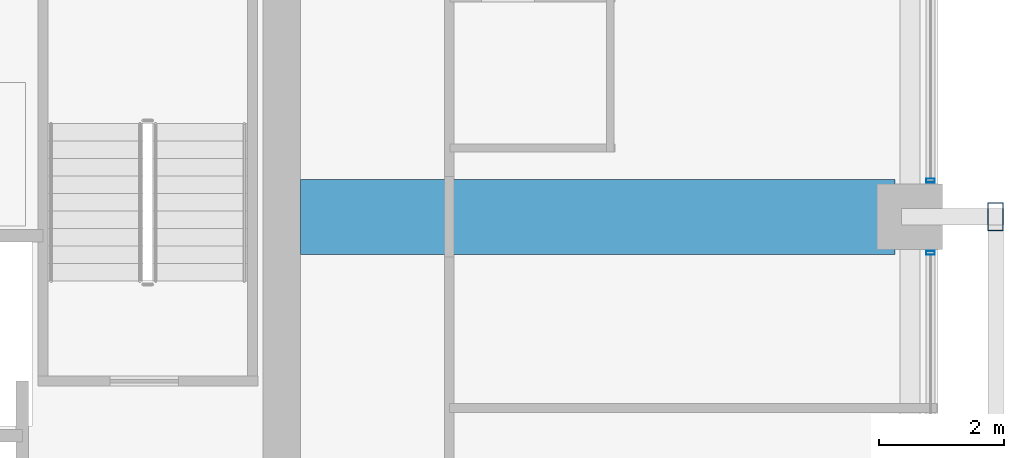
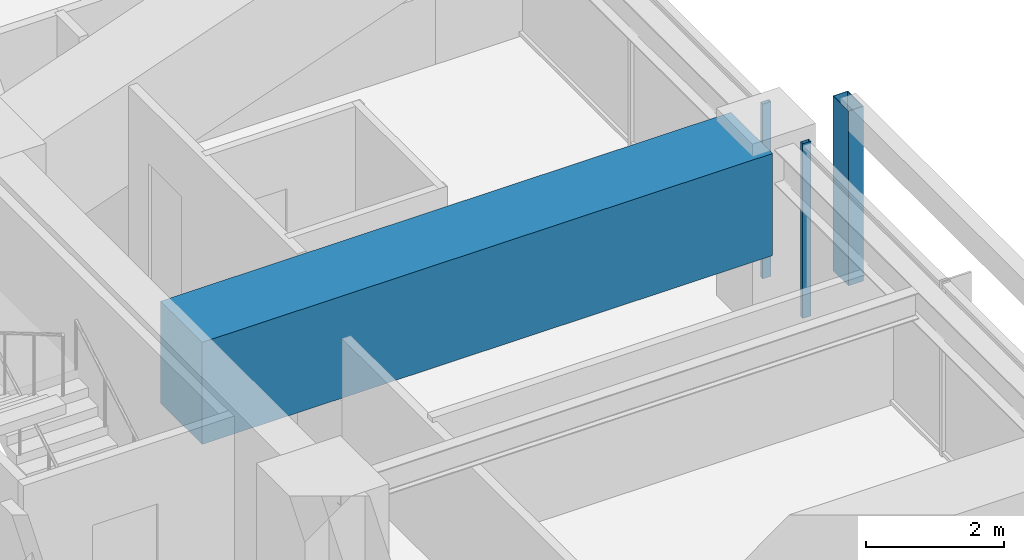
# One storey, part 18 of 39: 3 members, 1 beam, 2 elements without a shape of their own.
"""IFC4 building model written with IfcOpenShell, lengths in metres."""

from ifc_helpers import new_model, si_unit, direction, frame, origin, origin_2d, place, context, subcontext, project, spatial, rectangle, hollow_rectangle, extrude, material, material_profile, profile_set, type_object, element, aggregate, save


model = new_model("IFC4")

# Units and contexts
model_context = context("Model", 3, precision=1e-05, world=origin(), true_north=direction((0.0, 1.0)))
body_context = subcontext(model_context, "Body", "Model", "MODEL_VIEW")
ifc_project = project(units=[si_unit("LENGTHUNIT", "METRE"), si_unit("AREAUNIT", "SQUARE_METRE"), si_unit("VOLUMEUNIT", "CUBIC_METRE"), si_unit("PLANEANGLEUNIT", "RADIAN"), si_unit("MASSUNIT", "GRAM", prefix="KILO")], contexts=[model_context])

# Site, building, storey
site_placement = place(None, origin())
site = spatial("IfcSite", under=ifc_project, at=site_placement, CompositionType="ELEMENT")
building_placement = place(site_placement, origin())
building = spatial("IfcBuilding", under=site, at=building_placement, Name="Kolvaren Belvedere", CompositionType="ELEMENT")
storey_placement = place(building_placement, frame((0.0, 0.0, 85.39990234375)))
storey = spatial("IfcBuildingStorey", under=building, at=storey_placement, Name="L24", CompositionType="ELEMENT", Elevation=85.39990234375)

# Beam
ifc_material_1 = material(Name="Concrete C50/60", Category="concrete")
ifc_material_profile_1 = material_profile(ifc_material_1, rectangle(XDim=1.199951171875, YDim=1.800048828125, at=origin_2d()), Name="RC 1200X1800")
ifc_profile_set_1 = profile_set([ifc_material_profile_1], Name="Concrete C50/60")
beam_type = type_object("IfcBeamType", Name="BM-TG-1800", PredefinedType="BEAM", material=ifc_profile_set_1)
beam_placement = place(storey_placement, frame((10.199951171875, 4.60009765625, 2.18017578125), z_axis=(1.0, 0.0, 0.0), x_axis=(0.0, 1.0, 0.0)))
element("IfcBeam", 1, at=beam_placement, inside=storey, type_object=beam_type, Name="L24 East Radial Girder P", PredefinedType="BEAM", context=body_context, shape_type="SweptSolid", body=[
    extrude(rectangle(XDim=1.199951171875, YDim=1.800048828125, at=origin_2d()), origin(), (0.0, 0.0, 1.0), 9.513916015625),
])

# Curtain wall, member
ifc_material_2 = material(Name="Anodised pale-metal aluminium AA 6063-T6", Category="aluminium")
curtain_wall_type = type_object("IfcCurtainWallType", Name="CW-Z2-MID", PredefinedType="NOTDEFINED", material=ifc_material_2)
curtain_wall_1_placement = place(storey_placement, origin())
curtain_wall_1 = element("IfcCurtainWall", 2, at=curtain_wall_1_placement, inside=storey, type_object=curtain_wall_type, Name="L24 Unitised Curtain Wall FCW-L24-E-B1", PredefinedType="NOTDEFINED")
ifc_material_3 = material(Name="Anodised pale-metal aluminium AA 6063-T6", Category="aluminium")
ifc_material_profile_2 = material_profile(ifc_material_3, hollow_rectangle(XDim=0.06494140625, YDim=0.139892578125, WallThickness=0.00390625, at=origin_2d()), Name="ALU-MUL-140X65")
ifc_profile_set_2 = profile_set([ifc_material_profile_2], Name="Anodised pale-metal aluminium AA 6063-T6")
member_type_1 = type_object("IfcMemberType", Name="CW-MUL-140", PredefinedType="MULLION", material=ifc_profile_set_2)
member_1_placement = place(storey_placement, frame((20.280029296875, 5.177490234375, 0.0), z_axis=(0.0, 0.0, 1.0), x_axis=(0.0, 1.0, 0.0)))
member_1 = element("IfcMember", 3, at=member_1_placement, type_object=member_type_1, Name="FCW-L24-E-B1 Unitised Mullion 3", PredefinedType="MULLION", context=body_context, shape_type="SweptSolid", body=[
    extrude(hollow_rectangle(XDim=0.06494140625, YDim=0.139892578125, WallThickness=0.00390625, at=origin_2d()), origin(), (0.0, 0.0, 1.0), 3.080078125),
])
aggregate(curtain_wall_1, [member_1])

curtain_wall_2_placement = place(storey_placement, origin())
curtain_wall_2 = element("IfcCurtainWall", 4, at=curtain_wall_2_placement, inside=storey, type_object=curtain_wall_type, Name="L24 Unitised Curtain Wall FCW-L24-E-B2", PredefinedType="NOTDEFINED")
member_2_placement = place(storey_placement, frame((20.280029296875, 4.0224609375, 0.0), z_axis=(0.0, 0.0, 1.0), x_axis=(0.0, 1.0, 0.0)))
member_2 = element("IfcMember", 5, at=member_2_placement, type_object=member_type_1, Name="FCW-L24-E-B2 Unitised Mullion 1", PredefinedType="MULLION", context=body_context, shape_type="SweptSolid", body=[
    extrude(hollow_rectangle(XDim=0.06494140625, YDim=0.139892578125, WallThickness=0.00390625, at=origin_2d()), origin(), (0.0, 0.0, 1.0), 3.080078125),
])
aggregate(curtain_wall_2, [member_2])

# Member
ifc_material_4 = material(Name="Anodised pale-metal aluminium AA 6063-T6", Category="aluminium")
ifc_material_profile_3 = material_profile(ifc_material_4, hollow_rectangle(XDim=0.25, YDim=0.449951171875, WallThickness=0.008544921875, at=origin_2d()), Name="ALU-PF-450X250")
ifc_profile_set_3 = profile_set([ifc_material_profile_3], Name="Anodised pale-metal aluminium AA 6063-T6")
member_type_2 = type_object("IfcMemberType", Name="PF-FRAME-450", PredefinedType="USERDEFINED", material=ifc_profile_set_3)
member_3_placement = place(storey_placement, frame((21.320068359375, 4.60009765625, 0.0), z_axis=(0.0, 0.0, 1.0), x_axis=(1.0, 0.0, 0.0)))
element("IfcMember", 6, at=member_3_placement, inside=storey, type_object=member_type_2, Name="L24 Outboard Picture-Frame Vertical E1", ObjectType="PICTURE FRAME FIN", PredefinedType="USERDEFINED", context=body_context, shape_type="SweptSolid", body=[
    extrude(hollow_rectangle(XDim=0.25, YDim=0.449951171875, WallThickness=0.008544921875, at=origin_2d()), origin(), (0.0, 0.0, 1.0), 3.080078125),
])

save(model, "model.ifc")
